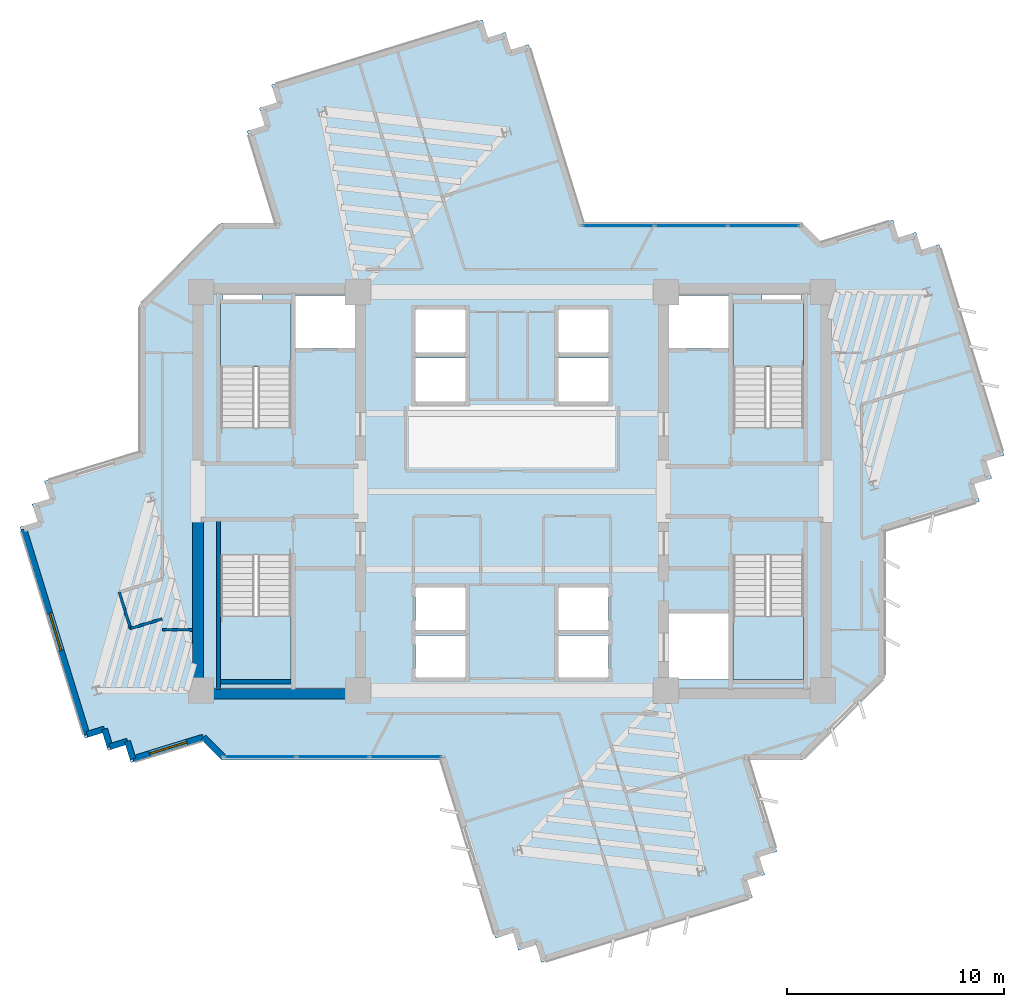
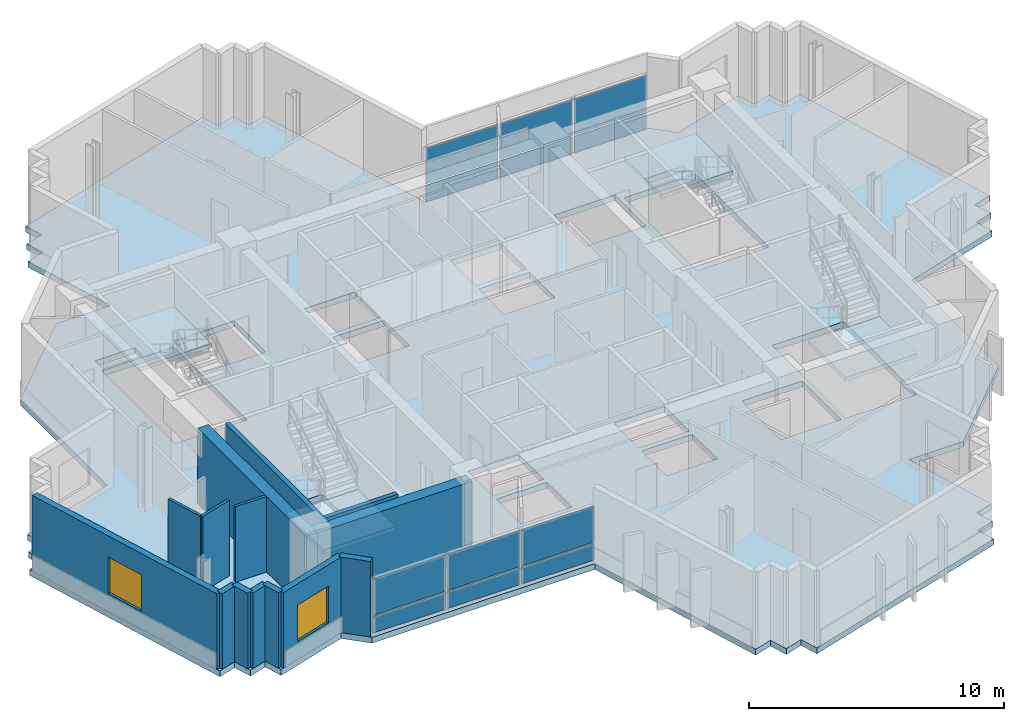
# One storey, part 4 of 13: 14 walls, 12 plates, 5 slabs, 2 windows, 2 openings, 6 elements without a shape of their own.
"""IFC4 building model written with IfcOpenShell, lengths in metres."""

from ifc_helpers import new_model, si_unit, direction, frame, frame_2d, origin, origin_2d, place, context, subcontext, project, spatial, polyline, rectangle, outline, extrude, source, transform, mapped, material, layer, layer_set, type_object, element, fill, aggregate, save


model = new_model("IFC4")

# Units and contexts
model_context = context("Model", 3, precision=1e-05, world=origin(), true_north=direction((0.0, 1.0)))
body_context = subcontext(model_context, "Body", "Model", "MODEL_VIEW")
ifc_project = project(units=[si_unit("LENGTHUNIT", "METRE"), si_unit("AREAUNIT", "SQUARE_METRE"), si_unit("VOLUMEUNIT", "CUBIC_METRE"), si_unit("PLANEANGLEUNIT", "RADIAN"), si_unit("MASSUNIT", "GRAM", prefix="KILO")], contexts=[model_context])

# Site, building, storey
site_placement = place(None, origin())
site = spatial("IfcSite", under=ifc_project, at=site_placement, CompositionType="ELEMENT")
building_placement = place(site_placement, origin())
building = spatial("IfcBuilding", under=site, at=building_placement, Name="Zahravan Cultural Tower", CompositionType="ELEMENT")
storey_placement = place(building_placement, frame((0.0, 0.0, 217.5)))
storey = spatial("IfcBuildingStorey", under=building, at=storey_placement, Name="L51", CompositionType="ELEMENT", Elevation=217.5)

# Slab
ifc_material_1 = material(Name="Concrete C45/55", Category="concrete")
ifc_layer_1 = layer(ifc_material_1, 0.280029296875)
ifc_layer_set_1 = layer_set([ifc_layer_1], Name="Concrete C45/55")
slab_type_1 = type_object("IfcSlabType", Name="SL-LIB-280", PredefinedType="FLOOR", material=ifc_layer_set_1)
slab_1_placement = place(storey_placement, frame((0.0, 0.0, -0.280029296875)))
element("IfcSlab", 1, at=slab_1_placement, inside=storey, type_object=slab_type_1, Name="L51 Structural Floor Slab", PredefinedType="FLOOR", context=body_context, shape_type="SweptSolid", body=[
    extrude(outline(polyline([(50.28955078125, 38.510498046875), (49.39990234375, 39.39990234375), (39.2998046875, 39.39990234375), (36.765625, 47.637451171875), (35.953125, 47.387451171875), (35.703125, 48.199951171875), (34.890869140625, 47.949951171875), (34.640869140625, 48.762451171875), (24.891845703125, 45.76318359375), (25.1416015625, 44.95068359375), (24.329345703125, 44.70068359375), (24.5791015625, 43.888427734375), (23.766845703125, 43.638427734375), (25.07080078125, 39.39990234375), (22.60009765625, 39.39990234375), (18.800048828125, 35.60009765625), (18.800048828125, 28.822998046875), (14.40673828125, 27.4716796875), (14.65673828125, 26.6591796875), (13.84423828125, 26.4091796875), (14.09423828125, 25.5966796875), (13.28173828125, 25.3466796875), (16.281005859375, 15.597900390625), (17.093505859375, 15.84765625), (17.343505859375, 15.035400390625), (18.15576171875, 15.28515625), (18.40576171875, 14.472900390625), (21.71044921875, 15.489501953125), (22.60009765625, 14.60009765625), (32.7001953125, 14.60009765625), (35.234375, 6.362548828125), (36.046875, 6.612548828125), (36.296875, 5.800048828125), (37.109130859375, 6.050048828125), (37.359130859375, 5.237548828125), (47.108154296875, 8.23681640625), (46.8583984375, 9.04931640625), (47.670654296875, 9.29931640625), (47.4208984375, 10.111572265625), (48.233154296875, 10.361572265625), (46.92919921875, 14.60009765625), (49.39990234375, 14.60009765625), (53.199951171875, 18.39990234375), (53.199951171875, 25.177001953125), (57.59326171875, 26.5283203125), (57.34326171875, 27.3408203125), (58.15576171875, 27.5908203125), (57.90576171875, 28.4033203125), (58.71826171875, 28.6533203125), (55.718994140625, 38.402099609375), (54.906494140625, 38.15234375), (54.656494140625, 38.964599609375), (53.84423828125, 38.71484375), (53.59423828125, 39.527099609375), (50.28955078125, 38.510498046875)]), holes=[polyline([(22.550048828125, 29.949951171875), (22.550048828125, 35.699951171875), (25.800048828125, 35.699951171875), (25.800048828125, 29.949951171875), (22.550048828125, 29.949951171875)]), polyline([(22.550048828125, 18.300048828125), (22.550048828125, 24.050048828125), (25.800048828125, 24.050048828125), (25.800048828125, 18.300048828125), (22.550048828125, 18.300048828125)]), polyline([(46.199951171875, 29.949951171875), (46.199951171875, 35.699951171875), (49.449951171875, 35.699951171875), (49.449951171875, 29.949951171875), (46.199951171875, 29.949951171875)]), polyline([(46.199951171875, 18.300048828125), (46.199951171875, 24.050048828125), (49.449951171875, 24.050048828125), (49.449951171875, 18.300048828125), (46.199951171875, 18.300048828125)]), polyline([(26.0, 33.60009765625), (26.0, 36.050048828125), (28.75, 36.050048828125), (28.75, 33.60009765625), (26.0, 33.60009765625)]), polyline([(43.25, 33.60009765625), (43.25, 36.050048828125), (46.0, 36.050048828125), (46.0, 33.60009765625), (43.25, 33.60009765625)]), polyline([(43.25, 18.300048828125), (43.25, 21.35009765625), (46.0, 21.35009765625), (46.0, 18.300048828125), (43.25, 18.300048828125)]), polyline([(31.550048828125, 33.39990234375), (31.550048828125, 35.39990234375), (33.85009765625, 35.39990234375), (33.85009765625, 33.39990234375), (31.550048828125, 33.39990234375)]), polyline([(31.550048828125, 31.14990234375), (31.550048828125, 33.14990234375), (33.85009765625, 33.14990234375), (33.85009765625, 31.14990234375), (31.550048828125, 31.14990234375)]), polyline([(38.14990234375, 33.39990234375), (38.14990234375, 35.39990234375), (40.449951171875, 35.39990234375), (40.449951171875, 33.39990234375), (38.14990234375, 33.39990234375)]), polyline([(38.14990234375, 31.14990234375), (38.14990234375, 33.14990234375), (40.449951171875, 33.14990234375), (40.449951171875, 31.14990234375), (38.14990234375, 31.14990234375)]), polyline([(31.550048828125, 20.60009765625), (31.550048828125, 22.550048828125), (33.85009765625, 22.550048828125), (33.85009765625, 20.60009765625), (31.550048828125, 20.60009765625)]), polyline([(31.550048828125, 18.39990234375), (31.550048828125, 20.35009765625), (33.85009765625, 20.35009765625), (33.85009765625, 18.39990234375), (31.550048828125, 18.39990234375)]), polyline([(38.14990234375, 20.60009765625), (38.14990234375, 22.550048828125), (40.449951171875, 22.550048828125), (40.449951171875, 20.60009765625), (38.14990234375, 20.60009765625)]), polyline([(38.14990234375, 18.39990234375), (38.14990234375, 20.35009765625), (40.449951171875, 20.35009765625), (40.449951171875, 18.39990234375), (38.14990234375, 18.39990234375)]), polyline([(22.64990234375, 35.800048828125), (22.64990234375, 36.419921875), (24.449951171875, 36.419921875), (24.449951171875, 35.800048828125), (22.64990234375, 35.800048828125)]), polyline([(47.550048828125, 35.800048828125), (47.550048828125, 36.419921875), (49.35009765625, 36.419921875), (49.35009765625, 35.800048828125), (47.550048828125, 35.800048828125)])]), origin(), (0.0, 0.0, 1.0), 0.280029296875),
])

# Stair, slab
stair_type = type_object("IfcStairType", Name="STR-DL-1550-390", PredefinedType="HALF_TURN_STAIR", material=ifc_material_1)
stair_1_placement = place(storey_placement, origin())
stair_1 = element("IfcStair", 2, at=stair_1_placement, inside=storey, type_object=stair_type, Name="L51 West Core North Exit Stair ST-W1", PredefinedType="HALF_TURN_STAIR")
ifc_layer_2 = layer(ifc_material_1, 0.199951171875)
ifc_layer_set_2 = layer_set([ifc_layer_2], Name="Concrete C45/55")
slab_type_2 = type_object("IfcSlabType", Name="SL-STAIR-LND200", PredefinedType="LANDING", material=ifc_layer_set_2)
slab_2_placement = place(storey_placement, frame((0.0, 0.0, 1.75)))
slab_2 = element("IfcSlab", 3, at=slab_2_placement, type_object=slab_type_2, Name="ST-W1 landing 1", PredefinedType="LANDING", context=body_context, shape_type="SweptSolid", body=[
    extrude(outline(polyline([(25.800048828125, 32.75), (25.800048828125, 35.699951171875), (22.550048828125, 35.699951171875), (22.550048828125, 32.75), (25.800048828125, 32.75)])), origin(), (0.0, 0.0, 1.0), 0.199951171875),
])
aggregate(stair_1, [slab_2])

stair_2_placement = place(storey_placement, origin())
stair_2 = element("IfcStair", 4, at=stair_2_placement, inside=storey, type_object=stair_type, Name="L51 West Core South Exit Stair ST-W2", PredefinedType="HALF_TURN_STAIR")
slab_3_placement = place(storey_placement, frame((0.0, 0.0, 1.75)))
slab_3 = element("IfcSlab", 5, at=slab_3_placement, type_object=slab_type_2, Name="ST-W2 landing 1", PredefinedType="LANDING", context=body_context, shape_type="SweptSolid", body=[
    extrude(outline(polyline([(22.550048828125, 21.25), (22.550048828125, 18.300048828125), (25.800048828125, 18.300048828125), (25.800048828125, 21.25), (22.550048828125, 21.25)])), origin(), (0.0, 0.0, 1.0), 0.199951171875),
])
aggregate(stair_2, [slab_3])

stair_3_placement = place(storey_placement, origin())
stair_3 = element("IfcStair", 6, at=stair_3_placement, inside=storey, type_object=stair_type, Name="L51 East Core North Exit Stair ST-E1", PredefinedType="HALF_TURN_STAIR")
slab_4_placement = place(storey_placement, frame((0.0, 0.0, 1.75)))
slab_4 = element("IfcSlab", 7, at=slab_4_placement, type_object=slab_type_2, Name="ST-E1 landing 1", PredefinedType="LANDING", context=body_context, shape_type="SweptSolid", body=[
    extrude(outline(polyline([(49.449951171875, 32.75), (49.449951171875, 35.699951171875), (46.199951171875, 35.699951171875), (46.199951171875, 32.75), (49.449951171875, 32.75)])), origin(), (0.0, 0.0, 1.0), 0.199951171875),
])
aggregate(stair_3, [slab_4])

stair_4_placement = place(storey_placement, origin())
stair_4 = element("IfcStair", 8, at=stair_4_placement, inside=storey, type_object=stair_type, Name="L51 East Core South Exit Stair ST-E2", PredefinedType="HALF_TURN_STAIR")
slab_5_placement = place(storey_placement, frame((0.0, 0.0, 1.75)))
slab_5 = element("IfcSlab", 9, at=slab_5_placement, type_object=slab_type_2, Name="ST-E2 landing 1", PredefinedType="LANDING", context=body_context, shape_type="SweptSolid", body=[
    extrude(outline(polyline([(46.199951171875, 21.25), (46.199951171875, 18.300048828125), (49.449951171875, 18.300048828125), (49.449951171875, 21.25), (46.199951171875, 21.25)])), origin(), (0.0, 0.0, 1.0), 0.199951171875),
])
aggregate(stair_4, [slab_5])

# Curtain wall, plates
ifc_material_2 = material(Name="Anodised bronze-aluminium mullion", Category="aluminium")
ifc_layer_3 = layer(ifc_material_2, 0.219970703125)
ifc_layer_set_3 = layer_set([ifc_layer_3], Name="Anodised bronze-aluminium mullion")
curtain_wall_type_1 = type_object("IfcCurtainWallType", Name="CW-SYS-1", PredefinedType="USERDEFINED", material=ifc_layer_set_3)
curtain_wall_1_placement = place(storey_placement, origin())
curtain_wall_1 = element("IfcCurtainWall", 10, at=curtain_wall_1_placement, inside=storey, type_object=curtain_wall_type_1, Name="L51 Recessed Curtain Wall CW-1.1", ObjectType="RECESSED GLAZING", PredefinedType="USERDEFINED")
ifc_material_3 = material(Name="Low-E solar-control double glazing", Category="glass")
ifc_layer_4 = layer(ifc_material_3, 0.031982421875)
ifc_layer_set_4 = layer_set([ifc_layer_4], Name="Low-E solar-control double glazing")
plate_type_1 = type_object("IfcPlateType", Name="CWP-CW-1", PredefinedType="CURTAIN_PANEL", material=ifc_layer_set_4)
shared_shape_1 = source(origin(), body_context, "Body", "SweptSolid", [
    extrude(rectangle(XDim=3.261962890625, YDim=0.031982421875, at=origin_2d()), origin(), (0.0, 0.0, 1.0), 0.780029296875),
])
plate_1_placement = place(storey_placement, frame((31.0927734375, 14.739990234375, 0.080078125), z_axis=(0.0, 0.0, 1.0), x_axis=(-1.0, 0.0, 0.0)))
plate_1 = element("IfcPlate", 11, at=plate_1_placement, type_object=plate_type_1, Name="CW-1 panel 1.1", PredefinedType="CURTAIN_PANEL", context=body_context, shape_type="MappedRepresentation", body=[
    mapped(shared_shape_1, transform((0.0, 0.0, 0.0), x_axis=(1.0, 0.0, 0.0), y_axis=(0.0, 1.0, 0.0), z_axis=(0.0, 0.0, 1.0), scale=1.0)),
])
plate_2_placement = place(storey_placement, frame((24.368896484375, 14.739990234375, 0.080078125), z_axis=(0.0, 0.0, 1.0), x_axis=(-1.0, 0.0, 0.0)))
plate_2 = element("IfcPlate", 12, at=plate_2_placement, type_object=plate_type_1, Name="CW-1 panel 3.1", PredefinedType="CURTAIN_PANEL", context=body_context, shape_type="MappedRepresentation", body=[
    mapped(shared_shape_1, transform((0.0, 0.0, 0.0), x_axis=(1.0, 0.0, 0.0), y_axis=(0.0, 1.0, 0.0), z_axis=(0.0, 0.0, 1.0), scale=1.0)),
])
shared_shape_2 = source(origin(), body_context, "Body", "SweptSolid", [
    extrude(rectangle(XDim=3.261962890625, YDim=0.031982421875, at=origin_2d()), origin(), (0.0, 0.0, 1.0), 1.719970703125),
])
plate_3_placement = place(storey_placement, frame((31.0927734375, 14.739990234375, 0.93994140625), z_axis=(0.0, 0.0, 1.0), x_axis=(-1.0, 0.0, 0.0)))
plate_3 = element("IfcPlate", 13, at=plate_3_placement, type_object=plate_type_1, Name="CW-1 panel 1.2", PredefinedType="CURTAIN_PANEL", context=body_context, shape_type="MappedRepresentation", body=[
    mapped(shared_shape_2, transform((0.0, 0.0, 0.0), x_axis=(1.0, 0.0, 0.0), y_axis=(0.0, 1.0, 0.0), z_axis=(0.0, 0.0, 1.0), scale=1.0)),
])
plate_4_placement = place(storey_placement, frame((24.368896484375, 14.739990234375, 0.93994140625), z_axis=(0.0, 0.0, 1.0), x_axis=(-1.0, 0.0, 0.0)))
plate_4 = element("IfcPlate", 14, at=plate_4_placement, type_object=plate_type_1, Name="CW-1 panel 3.2", PredefinedType="CURTAIN_PANEL", context=body_context, shape_type="MappedRepresentation", body=[
    mapped(shared_shape_2, transform((0.0, 0.0, 0.0), x_axis=(1.0, 0.0, 0.0), y_axis=(0.0, 1.0, 0.0), z_axis=(0.0, 0.0, 1.0), scale=1.0)),
])
shared_shape_3 = source(origin(), body_context, "Body", "SweptSolid", [
    extrude(rectangle(XDim=3.3017578125, YDim=0.031982421875, at=origin_2d()), origin(), (0.0, 0.0, 1.0), 0.780029296875),
])
plate_5_placement = place(storey_placement, frame((27.730712890625, 14.739990234375, 0.080078125), z_axis=(0.0, 0.0, 1.0), x_axis=(-1.0, 0.0, 0.0)))
plate_5 = element("IfcPlate", 15, at=plate_5_placement, type_object=plate_type_1, Name="CW-1 panel 2.1", PredefinedType="CURTAIN_PANEL", context=body_context, shape_type="MappedRepresentation", body=[
    mapped(shared_shape_3, transform((0.0, 0.0, 0.0), x_axis=(1.0, 0.0, 0.0), y_axis=(0.0, 1.0, 0.0), z_axis=(0.0, 0.0, 1.0), scale=1.0)),
])
shared_shape_4 = source(origin(), body_context, "Body", "SweptSolid", [
    extrude(rectangle(XDim=3.3017578125, YDim=0.031982421875, at=origin_2d()), origin(), (0.0, 0.0, 1.0), 1.719970703125),
])
plate_6_placement = place(storey_placement, frame((27.730712890625, 14.739990234375, 0.93994140625), z_axis=(0.0, 0.0, 1.0), x_axis=(-1.0, 0.0, 0.0)))
plate_6 = element("IfcPlate", 16, at=plate_6_placement, type_object=plate_type_1, Name="CW-1 panel 2.2", PredefinedType="CURTAIN_PANEL", context=body_context, shape_type="MappedRepresentation", body=[
    mapped(shared_shape_4, transform((0.0, 0.0, 0.0), x_axis=(1.0, 0.0, 0.0), y_axis=(0.0, 1.0, 0.0), z_axis=(0.0, 0.0, 1.0), scale=1.0)),
])
aggregate(curtain_wall_1, [plate_1, plate_3, plate_5, plate_6, plate_2, plate_4])

ifc_layer_5 = layer(ifc_material_2, 0.199951171875)
ifc_layer_set_5 = layer_set([ifc_layer_5], Name="Anodised bronze-aluminium mullion")
curtain_wall_type_2 = type_object("IfcCurtainWallType", Name="CW-SYS-2", PredefinedType="USERDEFINED", material=ifc_layer_set_5)
curtain_wall_2_placement = place(storey_placement, origin())
curtain_wall_2 = element("IfcCurtainWall", 17, at=curtain_wall_2_placement, inside=storey, type_object=curtain_wall_type_2, Name="L51 Recessed Curtain Wall CW-2.2", ObjectType="RECESSED GLAZING", PredefinedType="USERDEFINED")
ifc_layer_6 = layer(ifc_material_3, 0.030029296875)
ifc_layer_set_6 = layer_set([ifc_layer_6], Name="Low-E solar-control double glazing")
plate_type_2 = type_object("IfcPlateType", Name="CWP-CW-2", PredefinedType="CURTAIN_PANEL", material=ifc_layer_set_6)
shared_shape_5 = source(origin(), body_context, "Body", "SweptSolid", [
    extrude(rectangle(XDim=3.269287109375, YDim=0.030029296875, at=origin_2d()), origin(), (0.0, 0.0, 1.0), 0.78759765625),
])
plate_7_placement = place(storey_placement, frame((40.906005859375, 39.260009765625, 0.074951171875), z_axis=(0.0, 0.0, 1.0), x_axis=(1.0, 0.0, 0.0)))
plate_7 = element("IfcPlate", 18, at=plate_7_placement, type_object=plate_type_2, Name="CW-2 panel 1.1", PredefinedType="CURTAIN_PANEL", context=body_context, shape_type="MappedRepresentation", body=[
    mapped(shared_shape_5, transform((0.0, 0.0, 0.0), x_axis=(1.0, 0.0, 0.0), y_axis=(0.0, 1.0, 0.0), z_axis=(0.0, 0.0, 1.0), scale=1.0)),
])
plate_8_placement = place(storey_placement, frame((47.63232421875, 39.260009765625, 0.074951171875), z_axis=(0.0, 0.0, 1.0), x_axis=(1.0, 0.0, 0.0)))
plate_8 = element("IfcPlate", 19, at=plate_8_placement, type_object=plate_type_2, Name="CW-2 panel 3.1", PredefinedType="CURTAIN_PANEL", context=body_context, shape_type="MappedRepresentation", body=[
    mapped(shared_shape_5, transform((0.0, 0.0, 0.0), x_axis=(1.0, 0.0, 0.0), y_axis=(0.0, 1.0, 0.0), z_axis=(0.0, 0.0, 1.0), scale=1.0)),
])
shared_shape_6 = source(origin(), body_context, "Body", "SweptSolid", [
    extrude(rectangle(XDim=3.269287109375, YDim=0.030029296875, at=origin_2d()), origin(), (0.0, 0.0, 1.0), 1.7275390625),
])
plate_9_placement = place(storey_placement, frame((40.906005859375, 39.260009765625, 0.9375), z_axis=(0.0, 0.0, 1.0), x_axis=(1.0, 0.0, 0.0)))
plate_9 = element("IfcPlate", 20, at=plate_9_placement, type_object=plate_type_2, Name="CW-2 panel 1.2", PredefinedType="CURTAIN_PANEL", context=body_context, shape_type="MappedRepresentation", body=[
    mapped(shared_shape_6, transform((0.0, 0.0, 0.0), x_axis=(1.0, 0.0, 0.0), y_axis=(0.0, 1.0, 0.0), z_axis=(0.0, 0.0, 1.0), scale=1.0)),
])
plate_10_placement = place(storey_placement, frame((47.63232421875, 39.260009765625, 0.9375), z_axis=(0.0, 0.0, 1.0), x_axis=(1.0, 0.0, 0.0)))
plate_10 = element("IfcPlate", 21, at=plate_10_placement, type_object=plate_type_2, Name="CW-2 panel 3.2", PredefinedType="CURTAIN_PANEL", context=body_context, shape_type="MappedRepresentation", body=[
    mapped(shared_shape_6, transform((0.0, 0.0, 0.0), x_axis=(1.0, 0.0, 0.0), y_axis=(0.0, 1.0, 0.0), z_axis=(0.0, 0.0, 1.0), scale=1.0)),
])
shared_shape_7 = source(origin(), body_context, "Body", "SweptSolid", [
    extrude(rectangle(XDim=3.306884765625, YDim=0.030029296875, at=origin_2d()), origin(), (0.0, 0.0, 1.0), 0.78759765625),
])
plate_11_placement = place(storey_placement, frame((44.269287109375, 39.260009765625, 0.074951171875), z_axis=(0.0, 0.0, 1.0), x_axis=(1.0, 0.0, 0.0)))
plate_11 = element("IfcPlate", 22, at=plate_11_placement, type_object=plate_type_2, Name="CW-2 panel 2.1", PredefinedType="CURTAIN_PANEL", context=body_context, shape_type="MappedRepresentation", body=[
    mapped(shared_shape_7, transform((0.0, 0.0, 0.0), x_axis=(1.0, 0.0, 0.0), y_axis=(0.0, 1.0, 0.0), z_axis=(0.0, 0.0, 1.0), scale=1.0)),
])
shared_shape_8 = source(origin(), body_context, "Body", "SweptSolid", [
    extrude(rectangle(XDim=3.306884765625, YDim=0.030029296875, at=origin_2d()), origin(), (0.0, 0.0, 1.0), 1.7275390625),
])
plate_12_placement = place(storey_placement, frame((44.269287109375, 39.260009765625, 0.9375), z_axis=(0.0, 0.0, 1.0), x_axis=(1.0, 0.0, 0.0)))
plate_12 = element("IfcPlate", 23, at=plate_12_placement, type_object=plate_type_2, Name="CW-2 panel 2.2", PredefinedType="CURTAIN_PANEL", context=body_context, shape_type="MappedRepresentation", body=[
    mapped(shared_shape_8, transform((0.0, 0.0, 0.0), x_axis=(1.0, 0.0, 0.0), y_axis=(0.0, 1.0, 0.0), z_axis=(0.0, 0.0, 1.0), scale=1.0)),
])
aggregate(curtain_wall_2, [plate_7, plate_9, plate_11, plate_12, plate_8, plate_10])

# Wall, opening, window
ifc_material_4 = material(Name="Precast concrete C40/50", Category="concrete")
ifc_layer_7 = layer(ifc_material_4, 0.280029296875)
ifc_layer_set_7 = layer_set([ifc_layer_7], Name="Precast concrete C40/50")
wall_type_1 = type_object("IfcWallType", Name="EW-TC-280", PredefinedType="SOLIDWALL", material=ifc_layer_set_7)
wall_1_placement = place(storey_placement, frame((21.75, 15.648193359375, 0.0), z_axis=(0.0, 0.0, 1.0), x_axis=(-0.955782111839, -0.294075763519, 0.0)))
wall_1 = element("IfcWall", 24, at=wall_1_placement, inside=storey, type_object=wall_type_1, Name="L51 Exterior Masonry Frame Wall 27", PredefinedType="SOLIDWALL", context=body_context, shape_type="SweptSolid", body=[
    extrude(rectangle(XDim=3.402099609375, YDim=0.280029296875, at=frame_2d((1.701171875, 0.0))), origin(), (0.0, 0.0, 1.0), 3.6201171875),
])
opening_1_placement = place(wall_1_placement, frame((0.801025390625, 0.0, 0.85009765625)))
opening_1 = element("IfcOpeningElement", 25, at=opening_1_placement, cuts=wall_1, Name="Opening WN-02", PredefinedType="OPENING", context=body_context, shape_type="SweptSolid", body=[
    extrude(rectangle(XDim=1.800048828125, YDim=1.75, at=frame_2d((0.89990234375, 0.875))), frame((0.0, 0.14990234375, 0.0), z_axis=(0.0, -1.0, 0.0), x_axis=(1.0, 0.0, 0.0)), (0.0, 0.0, 1.0), 0.300048828125),
])
window_type = type_object("IfcWindowType", Name="WN-REC-1800X1750", PartitioningType="DOUBLE_PANEL_VERTICAL", PredefinedType="WINDOW", material=ifc_material_3)
shared_shape_9 = source(origin(), body_context, "Body", "SweptSolid", [
    extrude(rectangle(XDim=1.800048828125, YDim=1.75, at=frame_2d((0.89990234375, 0.875))), frame((0.0, 0.030029296875, 0.0), z_axis=(0.0, -1.0, 0.0), x_axis=(1.0, 0.0, 0.0)), (0.0, 0.0, 1.0), 0.06005859375),
])
window_1_placement = place(opening_1_placement, origin())
window_1 = element("IfcWindow", 26, at=window_1_placement, inside=storey, type_object=window_type, Name="L51 Recessed Solar Window 06", OverallHeight=1.75, OverallWidth=1.800048828125, PartitioningType="DOUBLE_PANEL_VERTICAL", PredefinedType="WINDOW", context=body_context, shape_type="MappedRepresentation", body=[
    mapped(shared_shape_9, transform((0.0, 0.0, 0.0), x_axis=(1.0, 0.0, 0.0), y_axis=(0.0, 1.0, 0.0), z_axis=(0.0, 0.0, 1.0), scale=1.0)),
])
fill(opening_1, window_1)

wall_2_placement = place(storey_placement, frame((16.37353515625, 15.772705078125, 0.0), z_axis=(0.0, 0.0, 1.0), x_axis=(-0.294028777175, 0.955796567368, 0.0)))
wall_2 = element("IfcWall", 27, at=wall_2_placement, inside=storey, type_object=wall_type_1, Name="L51 Exterior Masonry Frame Wall 32", PredefinedType="SOLIDWALL", context=body_context, shape_type="SweptSolid", body=[
    extrude(rectangle(XDim=9.919921875, YDim=0.280029296875, at=frame_2d((4.9599609375, 0.0))), origin(), (0.0, 0.0, 1.0), 3.6201171875),
])
opening_2_placement = place(wall_2_placement, frame((4.06005859375, 0.0, 0.85009765625)))
opening_2 = element("IfcOpeningElement", 28, at=opening_2_placement, cuts=wall_2, Name="Opening WN-02", PredefinedType="OPENING", context=body_context, shape_type="SweptSolid", body=[
    extrude(rectangle(XDim=1.800048828125, YDim=1.75, at=frame_2d((0.89990234375, 0.875))), frame((0.0, 0.14990234375, 0.0), z_axis=(0.0, -1.0, 0.0), x_axis=(1.0, 0.0, 0.0)), (0.0, 0.0, 1.0), 0.300048828125),
])
window_2_placement = place(opening_2_placement, origin())
window_2 = element("IfcWindow", 29, at=window_2_placement, inside=storey, type_object=window_type, Name="L51 Recessed Solar Window 07", OverallHeight=1.75, OverallWidth=1.800048828125, PartitioningType="DOUBLE_PANEL_VERTICAL", PredefinedType="WINDOW", context=body_context, shape_type="MappedRepresentation", body=[
    mapped(shared_shape_9, transform((0.0, 0.0, 0.0), x_axis=(1.0, 0.0, 0.0), y_axis=(0.0, 1.0, 0.0), z_axis=(0.0, 0.0, 1.0), scale=1.0)),
])
fill(opening_2, window_2)

# Walls
ifc_material_5 = material(Name="Concrete C60/75", Category="concrete")
ifc_layer_8 = layer(ifc_material_5, 0.5)
ifc_layer_set_8 = layer_set([ifc_layer_8], Name="Concrete C60/75")
wall_type_2 = type_object("IfcWallType", Name="CW-SHEAR-500-C60", PredefinedType="SHEAR", material=ifc_layer_set_8)
shared_shape_10 = source(origin(), body_context, "Body", "SweptSolid", [
    extrude(rectangle(XDim=8.550048828125, YDim=0.5, at=frame_2d((4.27490234375, 0.0))), origin(), (0.0, 0.0, 1.0), 3.6201171875),
])
wall_3_placement = place(storey_placement, frame((21.5, 17.39990234375, 0.0), z_axis=(0.0, 0.0, 1.0), x_axis=(0.0, 1.0, 0.0)))
element("IfcWall", 30, at=wall_3_placement, inside=storey, type_object=wall_type_2, Name="L51 Core Shear Wall CW-W-WS-L51", PredefinedType="SHEAR", context=body_context, shape_type="MappedRepresentation", body=[
    mapped(shared_shape_10, transform((0.0, 0.0, 0.0), x_axis=(1.0, 0.0, 0.0), y_axis=(0.0, 1.0, 0.0), z_axis=(0.0, 0.0, 1.0), scale=1.0)),
])
shared_shape_11 = source(origin(), body_context, "Body", "SweptSolid", [
    extrude(rectangle(XDim=7.0, YDim=0.5, at=frame_2d((3.5, 0.0))), origin(), (0.0, 0.0, 1.0), 3.6201171875),
])
wall_4_placement = place(storey_placement, frame((21.75, 17.64990234375, 0.0), z_axis=(0.0, 0.0, 1.0), x_axis=(1.0, 0.0, 0.0)))
element("IfcWall", 31, at=wall_4_placement, inside=storey, type_object=wall_type_2, Name="L51 Core Shear Wall CW-W-S-L51", PredefinedType="SHEAR", context=body_context, shape_type="MappedRepresentation", body=[
    mapped(shared_shape_11, transform((0.0, 0.0, 0.0), x_axis=(1.0, 0.0, 0.0), y_axis=(0.0, 1.0, 0.0), z_axis=(0.0, 0.0, 1.0), scale=1.0)),
])
shared_shape_12 = source(origin(), body_context, "Body", "SweptSolid", [
    extrude(rectangle(XDim=0.85009765625, YDim=0.280029296875, at=frame_2d((0.425048828125, 0.0))), origin(), (0.0, 0.0, 1.0), 3.6201171875),
])
for number, where, z_axis, x_axis, name in (
    (32, (18.498291015625, 14.647705078125, 0.0), (0.0, 0.0, 1.0), (-0.293823460726, 0.955859704102, 0.0), "L51 Exterior Masonry Frame Wall 28"),
    (33, (18.24853515625, 15.460205078125, 0.0), (0.0, 0.0, 1.0), (-0.955779008722, -0.294085848838, 0.0), "L51 Exterior Masonry Frame Wall 29"),
    (34, (17.43603515625, 15.210205078125, 0.0), (0.0, 0.0, 1.0), (-0.294085848838, 0.955779008722, 0.0), "L51 Exterior Masonry Frame Wall 30"),
    (35, (17.18603515625, 16.022705078125, 0.0), (0.0, 0.0, 1.0), (-0.955779008722, -0.294085848838, 0.0), "L51 Exterior Masonry Frame Wall 31"),
):
    element("IfcWall", number, at=place(storey_placement, frame(where, z_axis=z_axis, x_axis=x_axis)), inside=storey, type_object=wall_type_1, Name=name, PredefinedType="SOLIDWALL", context=body_context, shape_type="MappedRepresentation", body=[
        mapped(shared_shape_12, transform((0.0, 0.0, 0.0), x_axis=(1.0, 0.0, 0.0), y_axis=(0.0, 1.0, 0.0), z_axis=(0.0, 0.0, 1.0), scale=1.0)),
    ])
shared_shape_13 = source(origin(), body_context, "Body", "SweptSolid", [
    extrude(rectangle(XDim=1.2841796875, YDim=0.280029296875, at=frame_2d((0.64208984375, 0.0))), origin(), (0.0, 0.0, 1.0), 3.6201171875),
])
wall_5_placement = place(storey_placement, frame((22.657958984375, 14.739990234375, 0.0), z_axis=(0.0, 0.0, 1.0), x_axis=(-0.707011720788, 0.707201828807, 0.0)))
element("IfcWall", 36, at=wall_5_placement, inside=storey, type_object=wall_type_1, Name="L51 Exterior Masonry Frame Wall 26", PredefinedType="SOLIDWALL", context=body_context, shape_type="MappedRepresentation", body=[
    mapped(shared_shape_13, transform((0.0, 0.0, 0.0), x_axis=(1.0, 0.0, 0.0), y_axis=(0.0, 1.0, 0.0), z_axis=(0.0, 0.0, 1.0), scale=1.0)),
])
ifc_layer_9 = layer(ifc_material_1, 0.199951171875)
ifc_layer_set_9 = layer_set([ifc_layer_9], Name="Concrete C45/55")
wall_type_3 = type_object("IfcWallType", Name="W-SHAFT-200", PredefinedType="SOLIDWALL", material=ifc_layer_set_9)
shared_shape_14 = source(origin(), body_context, "Body", "SweptSolid", [
    extrude(rectangle(XDim=7.869873046875, YDim=0.199951171875, at=frame_2d((3.93505859375, 0.0))), origin(), (0.0, 0.0, 1.0), 3.6201171875),
])
wall_6_placement = place(storey_placement, frame((22.449951171875, 17.85009765625, 0.0), z_axis=(0.0, 0.0, 1.0), x_axis=(0.0, 1.0, 0.0)))
element("IfcWall", 37, at=wall_6_placement, inside=storey, type_object=wall_type_3, Name="L51 Interior Wall 001", PredefinedType="SOLIDWALL", context=body_context, shape_type="MappedRepresentation", body=[
    mapped(shared_shape_14, transform((0.0, 0.0, 0.0), x_axis=(1.0, 0.0, 0.0), y_axis=(0.0, 1.0, 0.0), z_axis=(0.0, 0.0, 1.0), scale=1.0)),
])
shared_shape_15 = source(origin(), body_context, "Body", "SweptSolid", [
    extrude(rectangle(XDim=3.25, YDim=0.199951171875, at=frame_2d((1.625, 0.0))), origin(), (0.0, 0.0, 1.0), 3.6201171875),
])
wall_7_placement = place(storey_placement, frame((22.550048828125, 18.199951171875, 0.0), z_axis=(0.0, 0.0, 1.0), x_axis=(1.0, 0.0, 0.0)))
element("IfcWall", 38, at=wall_7_placement, inside=storey, type_object=wall_type_3, Name="L51 Interior Wall 019", PredefinedType="SOLIDWALL", context=body_context, shape_type="MappedRepresentation", body=[
    mapped(shared_shape_15, transform((0.0, 0.0, 0.0), x_axis=(1.0, 0.0, 0.0), y_axis=(0.0, 1.0, 0.0), z_axis=(0.0, 0.0, 1.0), scale=1.0)),
])
ifc_material_6 = material(Name="Gypsum plasterboard partition")
ifc_layer_10 = layer(ifc_material_6, 0.125)
ifc_layer_set_10 = layer_set([ifc_layer_10], Name="Gypsum plasterboard partition")
wall_type_4 = type_object("IfcWallType", Name="W-PART-125", PredefinedType="PARTITIONING", material=ifc_layer_set_10)
shared_shape_16 = source(origin(), body_context, "Body", "SweptSolid", [
    extrude(rectangle(XDim=1.753173828125, YDim=0.125, at=frame_2d((0.87646484375, 0.0))), origin(), (0.0, 0.0, 1.0), 3.6201171875),
])
wall_8_placement = place(storey_placement, frame((17.869873046875, 22.339599609375, 0.0), z_axis=(0.0, 0.0, 1.0), x_axis=(0.293704171438, -0.955896364508, 0.0)))
element("IfcWall", 39, at=wall_8_placement, inside=storey, type_object=wall_type_4, Name="L51 Interior Wall 103", PredefinedType="PARTITIONING", context=body_context, shape_type="MappedRepresentation", body=[
    mapped(shared_shape_16, transform((0.0, 0.0, 0.0), x_axis=(1.0, 0.0, 0.0), y_axis=(0.0, 1.0, 0.0), z_axis=(0.0, 0.0, 1.0), scale=1.0)),
])
shared_shape_17 = source(origin(), body_context, "Body", "SweptSolid", [
    extrude(rectangle(XDim=1.53173828125, YDim=0.125, at=frame_2d((0.765869140625, 0.0))), origin(), (0.0, 0.0, 1.0), 3.6201171875),
])
wall_9_placement = place(storey_placement, frame((18.384765625, 20.663818359375, 0.0), z_axis=(0.0, 0.0, 1.0), x_axis=(0.95646903586, 0.291833828472, 0.0)))
element("IfcWall", 40, at=wall_9_placement, inside=storey, type_object=wall_type_4, Name="L51 Interior Wall 104", PredefinedType="PARTITIONING", context=body_context, shape_type="MappedRepresentation", body=[
    mapped(shared_shape_17, transform((0.0, 0.0, 0.0), x_axis=(1.0, 0.0, 0.0), y_axis=(0.0, 1.0, 0.0), z_axis=(0.0, 0.0, 1.0), scale=1.0)),
])
shared_shape_18 = source(origin(), body_context, "Body", "SweptSolid", [
    extrude(rectangle(XDim=1.393310546875, YDim=0.125, at=frame_2d((0.69677734375, 0.0))), origin(), (0.0, 0.0, 1.0), 3.6201171875),
])
wall_10_placement = place(storey_placement, frame((19.851806640625, 20.6025390625, 0.0), z_axis=(0.0, 0.0, 1.0), x_axis=(0.999998464841, -0.001752231409, 0.0)))
element("IfcWall", 41, at=wall_10_placement, inside=storey, type_object=wall_type_4, Name="L51 Interior Wall 105", PredefinedType="PARTITIONING", context=body_context, shape_type="MappedRepresentation", body=[
    mapped(shared_shape_18, transform((0.0, 0.0, 0.0), x_axis=(1.0, 0.0, 0.0), y_axis=(0.0, 1.0, 0.0), z_axis=(0.0, 0.0, 1.0), scale=1.0)),
])

save(model, "model.ifc")
